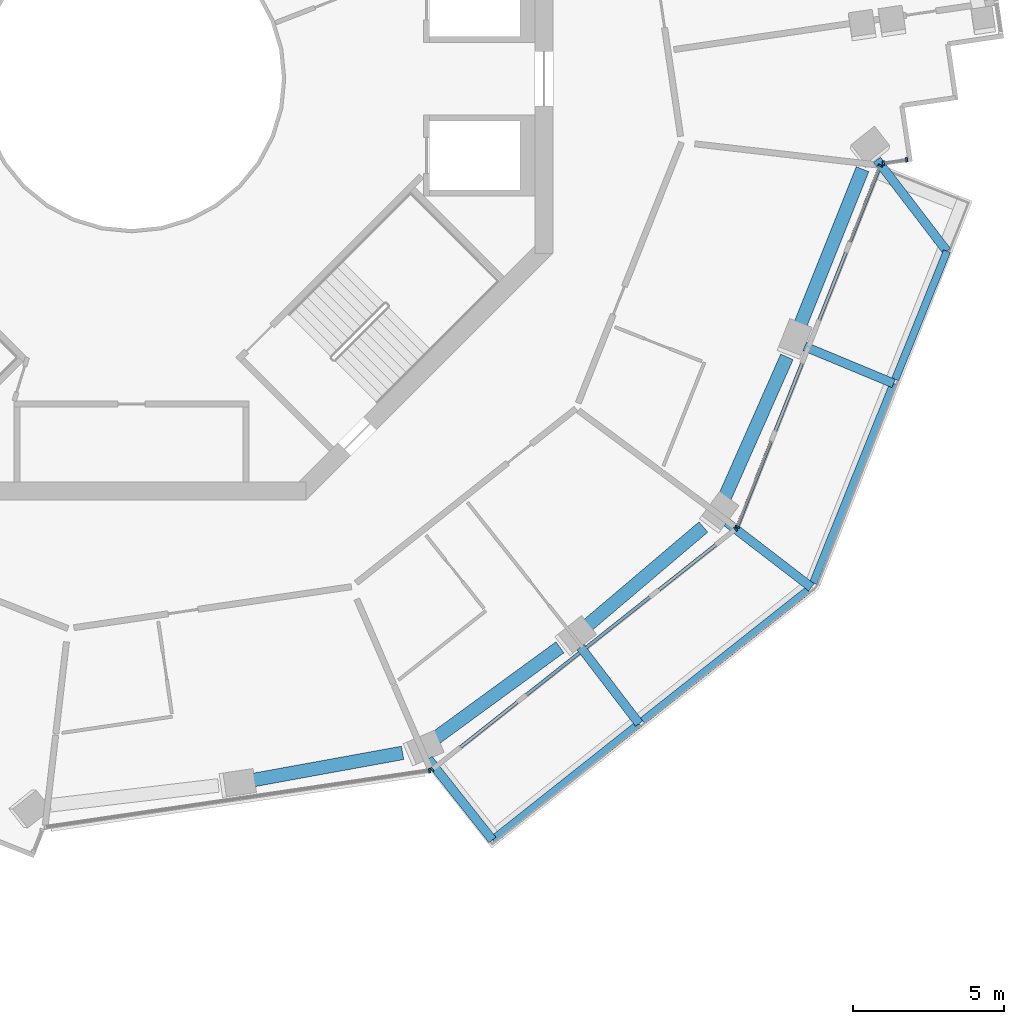
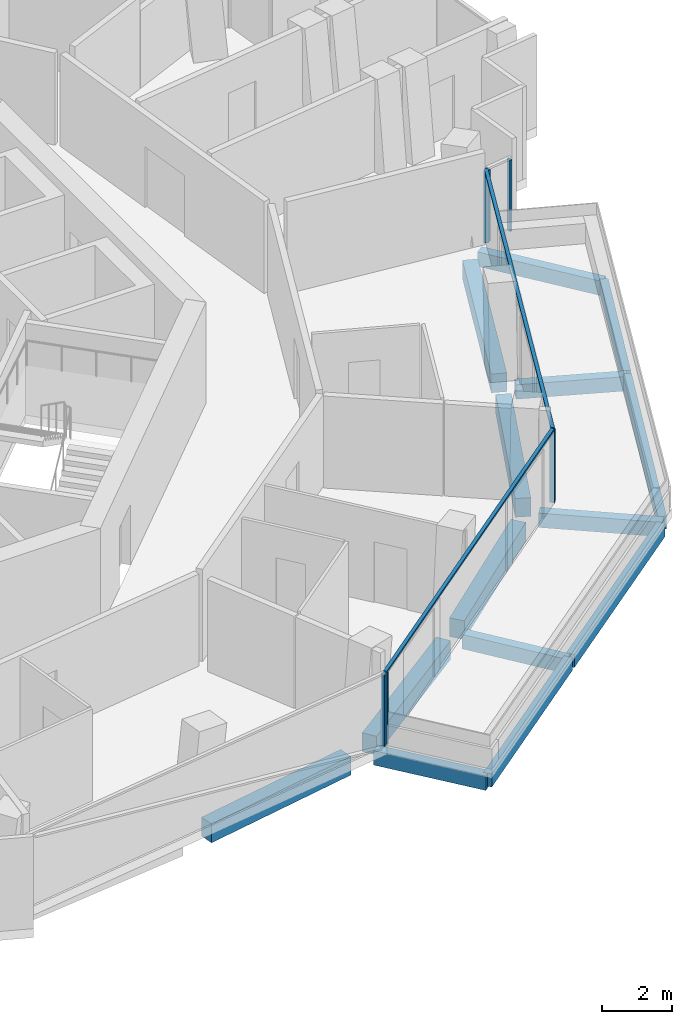
# One storey, part 4 of 21: 14 beams, 9 members, 4 elements without a shape of their own.
"""IFC4 building model written with IfcOpenShell, lengths in metres."""

from ifc_helpers import new_model, si_unit, direction, frame, origin, origin_2d, place, context, subcontext, project, spatial, rectangle, extrude, material, layer, layer_set, material_profile, profile_set, type_object, element, aggregate, save


model = new_model("IFC4")

# Units and contexts
model_context = context("Model", 3, precision=1e-05, world=origin(), true_north=direction((0.0, 1.0)))
body_context = subcontext(model_context, "Body", "Model", "MODEL_VIEW")
ifc_project = project(units=[si_unit("LENGTHUNIT", "METRE"), si_unit("AREAUNIT", "SQUARE_METRE"), si_unit("VOLUMEUNIT", "CUBIC_METRE"), si_unit("PLANEANGLEUNIT", "RADIAN"), si_unit("MASSUNIT", "GRAM", prefix="KILO")], contexts=[model_context])

# Site, building, storey
site_placement = place(None, origin())
site = spatial("IfcSite", under=ifc_project, at=site_placement, CompositionType="ELEMENT")
building_placement = place(site_placement, origin())
building = spatial("IfcBuilding", under=site, at=building_placement, Name="Verdalira Terraces Hotel", CompositionType="ELEMENT")
storey_placement = place(building_placement, frame((0.0, 0.0, 190.5)))
storey = spatial("IfcBuildingStorey", under=building, at=storey_placement, Name="L46", CompositionType="ELEMENT", Elevation=190.5)

# Beams
ifc_material_1 = material(Name="Concrete C40", Category="concrete")
ifc_material_profile_1 = material_profile(ifc_material_1, rectangle(XDim=0.300049, YDim=0.5, at=origin_2d()), Name="RC 300X500")
ifc_profile_set_1 = profile_set([ifc_material_profile_1], Name="Concrete C40")
beam_type_1 = type_object("IfcBeamType", Name="Balcony cantilever beam RC 300X500 C40", PredefinedType="BEAM", material=ifc_profile_set_1)
beam_1_placement = place(storey_placement, frame((9.85791, -22.600098, -0.560059), z_axis=(0.621201472, -0.783650899, 0.0), x_axis=(0.783650899, 0.621201472, 0.0)))
element("IfcBeam", 1, at=beam_1_placement, inside=storey, type_object=beam_type_1, Name="Balcony cantilever beam R26-1", PredefinedType="BEAM", context=body_context, shape_type="SweptSolid", body=[
    extrude(rectangle(XDim=0.300049, YDim=0.5, at=origin_2d()), origin(), (0.0, 0.0, 1.0), 3.423584),
])
beam_2_placement = place(storey_placement, frame((14.910889, -18.880127, -0.560059), z_axis=(0.607939807, -0.793983118, 0.0), x_axis=(0.793983118, 0.607939807, 0.0)))
element("IfcBeam", 2, at=beam_2_placement, inside=storey, type_object=beam_type_1, Name="Balcony cantilever beam R26-2", PredefinedType="BEAM", context=body_context, shape_type="SweptSolid", body=[
    extrude(rectangle(XDim=0.300049, YDim=0.5, at=origin_2d()), origin(), (0.0, 0.0, 1.0), 3.200684),
])
beam_3_placement = place(storey_placement, frame((19.767578, -14.733887, -0.560059), z_axis=(0.792718711, -0.609587603, 0.0), x_axis=(0.609587603, 0.792718711, 0.0)))
element("IfcBeam", 3, at=beam_3_placement, inside=storey, type_object=beam_type_1, Name="Balcony cantilever beam R26-3", PredefinedType="BEAM", context=body_context, shape_type="SweptSolid", body=[
    extrude(rectangle(XDim=0.300049, YDim=0.5, at=origin_2d()), origin(), (0.0, 0.0, 1.0), 3.544922),
])
beam_4_placement = place(storey_placement, frame((22.353271, -8.895264, -0.560059), z_axis=(0.923471356, -0.383667376, 0.0), x_axis=(0.383667376, 0.923471356, 0.0)))
element("IfcBeam", 4, at=beam_4_placement, inside=storey, type_object=beam_type_1, Name="Balcony cantilever beam R26-4", PredefinedType="BEAM", context=body_context, shape_type="SweptSolid", body=[
    extrude(rectangle(XDim=0.300049, YDim=0.5, at=origin_2d()), origin(), (0.0, 0.0, 1.0), 3.200684),
])
beam_5_placement = place(storey_placement, frame((24.756592, -2.69751, -0.560059), z_axis=(0.607936315, -0.793985791, 0.0), x_axis=(0.793985791, 0.607936315, 0.0)))
element("IfcBeam", 5, at=beam_5_placement, inside=storey, type_object=beam_type_1, Name="Balcony cantilever beam R26-5", PredefinedType="BEAM", context=body_context, shape_type="SweptSolid", body=[
    extrude(rectangle(XDim=0.300049, YDim=0.5, at=origin_2d()), origin(), (0.0, 0.0, 1.0), 3.819824),
])
ifc_material_2 = material(Name="Concrete C40", Category="concrete")
ifc_material_profile_2 = material_profile(ifc_material_2, rectangle(XDim=0.25, YDim=0.449951, at=origin_2d()), Name="RC 250X450")
ifc_profile_set_2 = profile_set([ifc_material_profile_2], Name="Concrete C40")
beam_type_2 = type_object("IfcBeamType", Name="Balcony edge beam RC 250X450 C40", PredefinedType="BEAM", material=ifc_profile_set_2)
beam_6_placement = place(storey_placement, frame((11.984619, -25.282959, -0.534912), z_axis=(0.783692133, 0.621149452, 0.0), x_axis=(-0.621149452, 0.783692133, 0.0)))
element("IfcBeam", 6, at=beam_6_placement, inside=storey, type_object=beam_type_2, Name="Balcony edge beam R26-1", PredefinedType="BEAM", context=body_context, shape_type="SweptSolid", body=[
    extrude(rectangle(XDim=0.25, YDim=0.449951, at=origin_2d()), origin(), (0.0, 0.0, 1.0), 6.216797),
])
beam_7_placement = place(storey_placement, frame((16.974365, -21.328369, -0.534912), z_axis=(0.784200185, 0.620507913, 0.0), x_axis=(-0.620507913, 0.784200185, 0.0)))
element("IfcBeam", 7, at=beam_7_placement, inside=storey, type_object=beam_type_2, Name="Balcony edge beam R26-2", PredefinedType="BEAM", context=body_context, shape_type="SweptSolid", body=[
    extrude(rectangle(XDim=0.25, YDim=0.449951, at=origin_2d()), origin(), (0.0, 0.0, 1.0), 6.990479),
])
beam_8_placement = place(storey_placement, frame((22.635742, -16.750244, -0.534912), z_axis=(0.374110527, 0.927384124, 0.0), x_axis=(-0.927384124, 0.374110527, 0.0)))
element("IfcBeam", 8, at=beam_8_placement, inside=storey, type_object=beam_type_2, Name="Balcony edge beam R26-3", PredefinedType="BEAM", context=body_context, shape_type="SweptSolid", body=[
    extrude(rectangle(XDim=0.25, YDim=0.449951, at=origin_2d()), origin(), (0.0, 0.0, 1.0), 7.145752),
])
beam_9_placement = place(storey_placement, frame((25.36499, -9.984131, -0.534912), z_axis=(0.373720901, 0.927541206, 0.0), x_axis=(-0.927541206, 0.373720901, 0.0)))
element("IfcBeam", 9, at=beam_9_placement, inside=storey, type_object=beam_type_2, Name="Balcony edge beam R26-4", PredefinedType="BEAM", context=body_context, shape_type="SweptSolid", body=[
    extrude(rectangle(XDim=0.25, YDim=0.449951, at=origin_2d()), origin(), (0.0, 0.0, 1.0), 4.585938),
])

# Curtain wall, member
ifc_material_3 = material(Name="Clear glass", Category="glass")
ifc_layer_1 = layer(ifc_material_3, 0.14990234375)
ifc_layer_set_1 = layer_set([ifc_layer_1], Name="CW1 curtain wall")
curtain_wall_type_1 = type_object("IfcCurtainWallType", Name="CW1 curtain wall", PredefinedType="NOTDEFINED", material=ifc_layer_set_1)
curtain_wall_1_placement = place(storey_placement, origin())
curtain_wall_1 = element("IfcCurtainWall", 10, at=curtain_wall_1_placement, inside=storey, type_object=curtain_wall_type_1, Name="CW1 curtain wall L46 edge 25", PredefinedType="NOTDEFINED")
ifc_material_4 = material(Name="Terracotta frame", Category="masonry")
ifc_material_profile_3 = material_profile(ifc_material_4, rectangle(XDim=0.060059, YDim=0.149902, at=origin_2d()), Name="MU 60x150")
ifc_profile_set_3 = profile_set([ifc_material_profile_3], Name="Terracotta frame")
member_type_1 = type_object("IfcMemberType", Name="CW1 mullion 60x150", PredefinedType="MULLION", material=ifc_profile_set_3)
member_1_placement = place(storey_placement, frame((9.893555, -22.984619, 0.0), z_axis=(0.0, 0.0, 1.0), x_axis=(0.989272333, 0.146083029, 0.0)))
member_1 = element("IfcMember", 11, at=member_1_placement, type_object=member_type_1, Name="CW1 mullion", PredefinedType="MULLION", context=body_context, shape_type="SweptSolid", body=[
    extrude(rectangle(XDim=0.060059, YDim=0.149902, at=origin_2d()), origin(), (0.0, 0.0, 1.0), 2.475098),
])
aggregate(curtain_wall_1, [member_1])

# Curtain wall, members
curtain_wall_2_placement = place(storey_placement, origin())
curtain_wall_2 = element("IfcCurtainWall", 12, at=curtain_wall_2_placement, inside=storey, type_object=curtain_wall_type_1, Name="CW1 curtain wall L46 edge 26", PredefinedType="NOTDEFINED")
member_2_placement = place(storey_placement, frame((9.982422, -22.946289, 0.0), z_axis=(0.0, 0.0, 1.0), x_axis=(0.783693457, 0.62114778, 0.0)))
member_2 = element("IfcMember", 13, at=member_2_placement, type_object=member_type_1, Name="CW1 mullion", PredefinedType="MULLION", context=body_context, shape_type="SweptSolid", body=[
    extrude(rectangle(XDim=0.060059, YDim=0.149902, at=origin_2d()), origin(), (0.0, 0.0, 1.0), 2.475098),
])
member_3_placement = place(storey_placement, frame((20.060303, -14.958496, 0.0), z_axis=(0.0, 0.0, 1.0), x_axis=(0.783693457, 0.62114778, 0.0)))
member_3 = element("IfcMember", 14, at=member_3_placement, type_object=member_type_1, Name="CW1 mullion", PredefinedType="MULLION", context=body_context, shape_type="SweptSolid", body=[
    extrude(rectangle(XDim=0.060059, YDim=0.149902, at=origin_2d()), origin(), (0.0, 0.0, 1.0), 2.475098),
])

curtain_wall_3_placement = place(storey_placement, origin())
curtain_wall_3 = element("IfcCurtainWall", 15, at=curtain_wall_3_placement, inside=storey, type_object=curtain_wall_type_1, Name="CW1 curtain wall L46 edge 27", PredefinedType="NOTDEFINED")
member_4_placement = place(storey_placement, frame((20.118164, -14.880859, 0.0), z_axis=(0.0, 0.0, 1.0), x_axis=(0.368124553, 0.929776486, 0.0)))
member_4 = element("IfcMember", 16, at=member_4_placement, type_object=member_type_1, Name="CW1 mullion", PredefinedType="MULLION", context=body_context, shape_type="SweptSolid", body=[
    extrude(rectangle(XDim=0.060059, YDim=0.149902, at=origin_2d()), origin(), (0.0, 0.0, 1.0), 2.475098),
])
member_5_placement = place(storey_placement, frame((24.866943, -2.886719, 0.0), z_axis=(0.0, 0.0, 1.0), x_axis=(0.368124553, 0.929776486, 0.0)))
member_5 = element("IfcMember", 17, at=member_5_placement, type_object=member_type_1, Name="CW1 mullion", PredefinedType="MULLION", context=body_context, shape_type="SweptSolid", body=[
    extrude(rectangle(XDim=0.060059, YDim=0.149902, at=origin_2d()), origin(), (0.0, 0.0, 1.0), 2.475098),
])

# Member
ifc_material_5 = material(Name="Terracotta frame", Category="masonry")
ifc_material_profile_4 = material_profile(ifc_material_5, rectangle(XDim=0.110107, YDim=0.064941, at=origin_2d()), Name="TR 65x110")
ifc_profile_set_4 = profile_set([ifc_material_profile_4], Name="Terracotta frame")
member_type_2 = type_object("IfcMemberType", Name="CW1 transom 65x110", PredefinedType="USERDEFINED", material=ifc_profile_set_4)
member_6_placement = place(storey_placement, frame((9.958984, -22.964844, 2.507568), z_axis=(0.783696237, 0.621144273, 0.0), x_axis=(-0.621144273, 0.783696237, 0.0)))
member_6 = element("IfcMember", 18, at=member_6_placement, type_object=member_type_2, Name="CW1 transom", ObjectType="TRANSOM", PredefinedType="USERDEFINED", context=body_context, shape_type="SweptSolid", body=[
    extrude(rectangle(XDim=0.110107, YDim=0.064941, at=origin_2d()), origin(), (0.0, 0.0, 1.0), 12.919434),
])

aggregate(curtain_wall_2, [member_2, member_3, member_6])

member_7_placement = place(storey_placement, frame((20.107178, -14.908691, 2.507568), z_axis=(0.368117667, 0.929779212, 0.0), x_axis=(-0.929779212, 0.368117667, 0.0)))
member_7 = element("IfcMember", 19, at=member_7_placement, type_object=member_type_2, Name="CW1 transom", ObjectType="TRANSOM", PredefinedType="USERDEFINED", context=body_context, shape_type="SweptSolid", body=[
    extrude(rectangle(XDim=0.110107, YDim=0.064941, at=origin_2d()), origin(), (0.0, 0.0, 1.0), 12.959961),
])

aggregate(curtain_wall_3, [member_4, member_5, member_7])

# Curtain wall, members
ifc_material_6 = material(Name="Clear glass", Category="glass")
ifc_layer_2 = layer(ifc_material_6, 0.14990234375)
ifc_layer_set_2 = layer_set([ifc_layer_2], Name="CW2 curtain wall")
curtain_wall_type_2 = type_object("IfcCurtainWallType", Name="CW2 curtain wall", PredefinedType="NOTDEFINED", material=ifc_layer_set_2)
curtain_wall_4_placement = place(storey_placement, origin())
curtain_wall_4 = element("IfcCurtainWall", 20, at=curtain_wall_4_placement, inside=storey, type_object=curtain_wall_type_2, Name="CW2 curtain wall L46 edge 28", PredefinedType="NOTDEFINED")
ifc_material_7 = material(Name="Terracotta frame", Category="masonry")
ifc_material_profile_5 = material_profile(ifc_material_7, rectangle(XDim=0.070068, YDim=0.149902, at=origin_2d()), Name="MU 70x150")
ifc_profile_set_5 = profile_set([ifc_material_profile_5], Name="Terracotta frame")
member_type_3 = type_object("IfcMemberType", Name="CW2 mullion 70x150", PredefinedType="MULLION", material=ifc_profile_set_5)
member_8_placement = place(storey_placement, frame((24.971191, -2.807129, 0.0), z_axis=(0.0, 0.0, 1.0), x_axis=(0.989272333, 0.146083029, 0.0)))
member_8 = element("IfcMember", 21, at=member_8_placement, type_object=member_type_3, Name="CW2 mullion", PredefinedType="MULLION", context=body_context, shape_type="SweptSolid", body=[
    extrude(rectangle(XDim=0.070068, YDim=0.149902, at=origin_2d()), origin(), (0.0, 0.0, 1.0), 2.475098),
])
member_9_placement = place(storey_placement, frame((25.74292, -2.693359, 0.0), z_axis=(0.0, 0.0, 1.0), x_axis=(0.989272333, 0.146083029, 0.0)))
member_9 = element("IfcMember", 22, at=member_9_placement, type_object=member_type_3, Name="CW2 mullion", PredefinedType="MULLION", context=body_context, shape_type="SweptSolid", body=[
    extrude(rectangle(XDim=0.070068, YDim=0.149902, at=origin_2d()), origin(), (0.0, 0.0, 1.0), 2.475098),
])
aggregate(curtain_wall_4, [member_8, member_9])

# Beams
ifc_material_8 = material(Name="Concrete C50", Category="concrete")
ifc_material_profile_6 = material_profile(ifc_material_8, rectangle(XDim=0.449951, YDim=0.649902, at=origin_2d()), Name="RC 450X650")
ifc_profile_set_6 = profile_set([ifc_material_profile_6], Name="Concrete C50")
beam_type_3 = type_object("IfcBeamType", Name="Spandrel beam RC 450X650 C50", PredefinedType="SPANDREL", material=ifc_profile_set_6)
beam_10_placement = place(storey_placement, frame((3.895996, -23.321289, -0.63501), z_axis=(0.983811896, 0.179204223, 0.0), x_axis=(-0.179204223, 0.983811896, 0.0)))
element("IfcBeam", 23, at=beam_10_placement, inside=storey, type_object=beam_type_3, Name="Spandrel beam B12", PredefinedType="SPANDREL", context=body_context, shape_type="SweptSolid", body=[
    extrude(rectangle(XDim=0.449951, YDim=0.649902, at=origin_2d()), origin(), (0.0, 0.0, 1.0), 5.189209),
])
beam_11_placement = place(storey_placement, frame((10.033691, -21.946289, -0.63501), z_axis=(0.807714086, 0.589574385, 0.0), x_axis=(-0.589574385, 0.807714086, 0.0)))
element("IfcBeam", 24, at=beam_11_placement, inside=storey, type_object=beam_type_3, Name="Spandrel beam B13", PredefinedType="SPANDREL", context=body_context, shape_type="SweptSolid", body=[
    extrude(rectangle(XDim=0.449951, YDim=0.649902, at=origin_2d()), origin(), (0.0, 0.0, 1.0), 5.191895),
])
beam_12_placement = place(storey_placement, frame((15.034668, -18.248779, -0.63501), z_axis=(0.762409253, 0.647095148, 0.0), x_axis=(-0.647095148, 0.762409253, 0.0)))
element("IfcBeam", 25, at=beam_12_placement, inside=storey, type_object=beam_type_3, Name="Spandrel beam B14", PredefinedType="SPANDREL", context=body_context, shape_type="SweptSolid", body=[
    extrude(rectangle(XDim=0.449951, YDim=0.649902, at=origin_2d()), origin(), (0.0, 0.0, 1.0), 5.189209),
])
beam_13_placement = place(storey_placement, frame((19.662598, -13.989258, -0.63501), z_axis=(0.404702638, 0.914448345, 0.0), x_axis=(-0.914448345, 0.404702638, 0.0)))
element("IfcBeam", 26, at=beam_13_placement, inside=storey, type_object=beam_type_3, Name="Spandrel beam B15", PredefinedType="SPANDREL", context=body_context, shape_type="SweptSolid", body=[
    extrude(rectangle(XDim=0.449951, YDim=0.649902, at=origin_2d()), origin(), (0.0, 0.0, 1.0), 5.192139),
])
beam_14_placement = place(storey_placement, frame((22.157471, -8.306396, -0.63501), z_axis=(0.370970186, 0.928644777, 0.0), x_axis=(-0.928644777, 0.370970186, 0.0)))
element("IfcBeam", 27, at=beam_14_placement, inside=storey, type_object=beam_type_3, Name="Spandrel beam B16", PredefinedType="SPANDREL", context=body_context, shape_type="SweptSolid", body=[
    extrude(rectangle(XDim=0.449951, YDim=0.649902, at=origin_2d()), origin(), (0.0, 0.0, 1.0), 5.706543),
])

save(model, "model.ifc")
